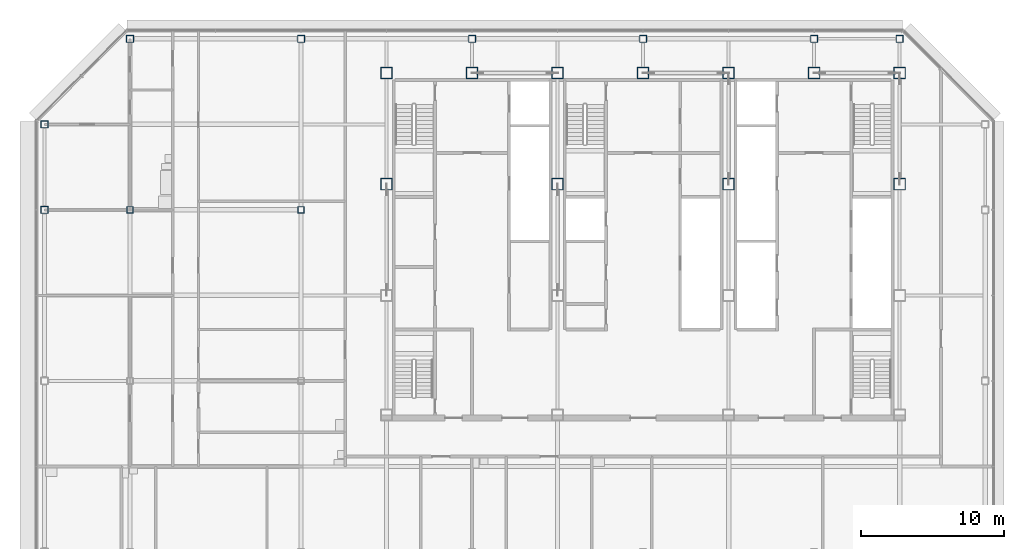
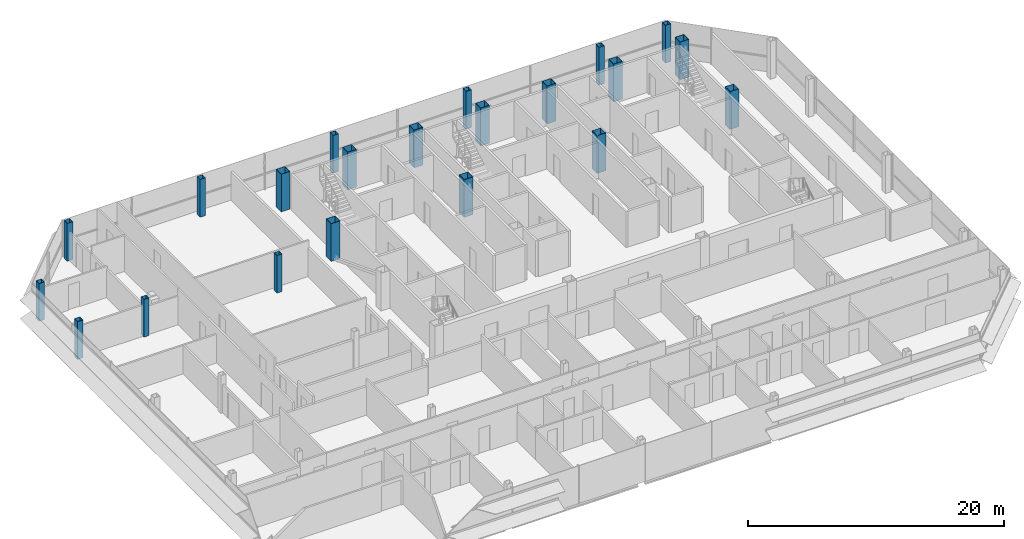
# One storey, part 2 of 28: 21 columns.
"""IFC4 building model written with IfcOpenShell, lengths in metres."""

from ifc_helpers import new_model, si_unit, direction, frame, origin, origin_2d, place, context, subcontext, project, spatial, hollow_rectangle, extrude, material, material_profile, profile_set, type_object, element, save


model = new_model("IFC4")

# Units and contexts
model_context = context("Model", 3, precision=1e-05, world=origin(), true_north=direction((0.0, 1.0)))
body_context = subcontext(model_context, "Body", "Model", "MODEL_VIEW")
ifc_project = project(units=[si_unit("LENGTHUNIT", "METRE"), si_unit("AREAUNIT", "SQUARE_METRE"), si_unit("VOLUMEUNIT", "CUBIC_METRE"), si_unit("PLANEANGLEUNIT", "RADIAN"), si_unit("MASSUNIT", "GRAM", prefix="KILO")], contexts=[model_context])

# Site, building, storey
site_placement = place(None, origin())
site = spatial("IfcSite", under=ifc_project, at=site_placement, CompositionType="ELEMENT")
building_placement = place(site_placement, origin())
building = spatial("IfcBuilding", under=site, at=building_placement, Name="Sorahane Residences", CompositionType="ELEMENT")
storey_placement = place(building_placement, frame((0.0, 0.0, 301.60009765625)))
storey = spatial("IfcBuildingStorey", under=building, at=storey_placement, Name="L71", CompositionType="ELEMENT", Elevation=301.60009765625)

# Columns
ifc_material_1 = material(Name="Steel Q355B", Category="steel")
ifc_material_profile_1 = material_profile(ifc_material_1, hollow_rectangle(XDim=0.449951171875, YDim=0.449951171875, WallThickness=0.02197265625, at=origin_2d()), Name="BOX 450x450x22")
ifc_profile_set_1 = profile_set([ifc_material_profile_1], Name="Steel Q355B")
column_type_1 = type_object("IfcColumnType", Name="Steel box column BOX 450x450x22 Q355B", PredefinedType="COLUMN", material=ifc_profile_set_1)
for number, where, z_axis, x_axis, name in (
    (1, (-12.0, 36.0, 0.0), (0.0, 0.0, 1.0), (1.0, 0.0, 0.0), "Column L71 m12/36"),
    (2, (0.0, 36.0, 0.0), (0.0, 0.0, 1.0), (1.0, 0.0, 0.0), "Column L71 0/36"),
):
    element("IfcColumn", number, at=place(storey_placement, frame(where, z_axis=z_axis, x_axis=x_axis)), inside=storey, type_object=column_type_1, Name=name, PredefinedType="COLUMN", context=body_context, shape_type="SweptSolid", body=[
        extrude(hollow_rectangle(XDim=0.449951171875, YDim=0.449951171875, WallThickness=0.02197265625, at=origin_2d()), origin(), (0.0, 0.0, 1.0), 3.599853515625),
    ])
ifc_material_2 = material(Name="Steel Q355B", Category="steel")
ifc_material_profile_2 = material_profile(ifc_material_2, hollow_rectangle(XDim=0.5, YDim=0.5, WallThickness=0.02490234375, at=origin_2d()), Name="BOX 500x500x25")
ifc_profile_set_2 = profile_set([ifc_material_profile_2], Name="Steel Q355B")
column_type_2 = type_object("IfcColumnType", Name="Steel box column BOX 500x500x25 Q355B", PredefinedType="COLUMN", material=ifc_profile_set_2)
for number, where, z_axis, x_axis, name in (
    (3, (-18.0, 36.0, 0.0), (0.0, 0.0, 1.0), (1.0, 0.0, 0.0), "Column L71 m18/36"),
    (4, (-18.0, 42.0, 0.0), (0.0, 0.0, 1.0), (1.0, 0.0, 0.0), "Column L71 m18/42"),
    (5, (-12.0, 48.0, 0.0), (0.0, 0.0, 1.0), (1.0, 0.0, 0.0), "Column L71 m12/48"),
    (6, (0.0, 48.0, 0.0), (0.0, 0.0, 1.0), (1.0, 0.0, 0.0), "Column L71 0/48"),
    (7, (12.0, 48.0, 0.0), (0.0, 0.0, 1.0), (1.0, 0.0, 0.0), "Column L71 12/48"),
    (8, (24.0, 48.0, 0.0), (0.0, 0.0, 1.0), (1.0, 0.0, 0.0), "Column L71 24/48"),
    (9, (36.0, 48.0, 0.0), (0.0, 0.0, 1.0), (1.0, 0.0, 0.0), "Column L71 36/48"),
    (10, (42.0, 48.0, 0.0), (0.0, 0.0, 1.0), (1.0, 0.0, 0.0), "Column L71 42/48"),
):
    element("IfcColumn", number, at=place(storey_placement, frame(where, z_axis=z_axis, x_axis=x_axis)), inside=storey, type_object=column_type_2, Name=name, PredefinedType="COLUMN", context=body_context, shape_type="SweptSolid", body=[
        extrude(hollow_rectangle(XDim=0.5, YDim=0.5, WallThickness=0.02490234375, at=origin_2d()), origin(), (0.0, 0.0, 1.0), 3.599853515625),
    ])
ifc_material_3 = material(Name="Steel Q355B", Category="steel")
ifc_material_profile_3 = material_profile(ifc_material_3, hollow_rectangle(XDim=0.800048828125, YDim=0.800048828125, WallThickness=0.02490234375, at=origin_2d()), Name="BOX 800x800x25")
ifc_profile_set_3 = profile_set([ifc_material_profile_3], Name="Steel Q355B")
column_type_3 = type_object("IfcColumnType", Name="Steel box column BOX 800x800x25 Q355B", PredefinedType="COLUMN", material=ifc_profile_set_3)
for number, where, z_axis, x_axis, name in (
    (11, (6.0, 37.800048828125, 0.0), (0.0, 0.0, 1.0), (1.0, 0.0, 0.0), "Column L71 6/37.8"),
    (12, (6.0, 45.60009765625, 0.0), (0.0, 0.0, 1.0), (1.0, 0.0, 0.0), "Column L71 6/45.6"),
    (13, (12.0, 45.60009765625, 0.0), (0.0, 0.0, 1.0), (1.0, 0.0, 0.0), "Column L71 12/45.6"),
    (14, (18.0, 37.800048828125, 0.0), (0.0, 0.0, 1.0), (1.0, 0.0, 0.0), "Column L71 18/37.8"),
    (15, (18.0, 45.60009765625, 0.0), (0.0, 0.0, 1.0), (1.0, 0.0, 0.0), "Column L71 18/45.6"),
    (16, (24.0, 45.60009765625, 0.0), (0.0, 0.0, 1.0), (1.0, 0.0, 0.0), "Column L71 24/45.6"),
    (17, (30.0, 37.800048828125, 0.0), (0.0, 0.0, 1.0), (1.0, 0.0, 0.0), "Column L71 30/37.8"),
    (18, (30.0, 45.60009765625, 0.0), (0.0, 0.0, 1.0), (1.0, 0.0, 0.0), "Column L71 30/45.6"),
    (19, (36.0, 45.60009765625, 0.0), (0.0, 0.0, 1.0), (1.0, 0.0, 0.0), "Column L71 36/45.6"),
    (20, (42.0, 37.800048828125, 0.0), (0.0, 0.0, 1.0), (1.0, 0.0, 0.0), "Column L71 42/37.8"),
    (21, (42.0, 45.60009765625, 0.0), (0.0, 0.0, 1.0), (1.0, 0.0, 0.0), "Column L71 42/45.6"),
):
    element("IfcColumn", number, at=place(storey_placement, frame(where, z_axis=z_axis, x_axis=x_axis)), inside=storey, type_object=column_type_3, Name=name, PredefinedType="COLUMN", context=body_context, shape_type="SweptSolid", body=[
        extrude(hollow_rectangle(XDim=0.800048828125, YDim=0.800048828125, WallThickness=0.02490234375, at=origin_2d()), origin(), (0.0, 0.0, 1.0), 3.599853515625),
    ])

save(model, "model.ifc")
